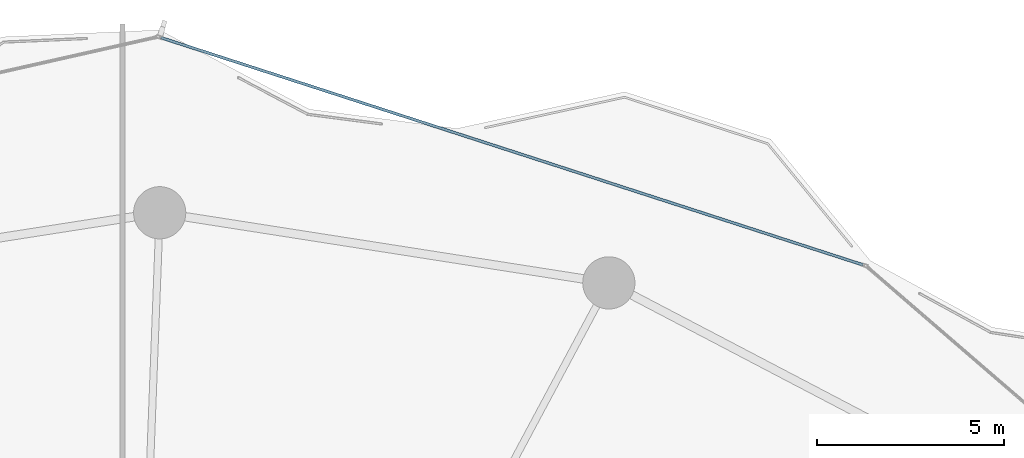
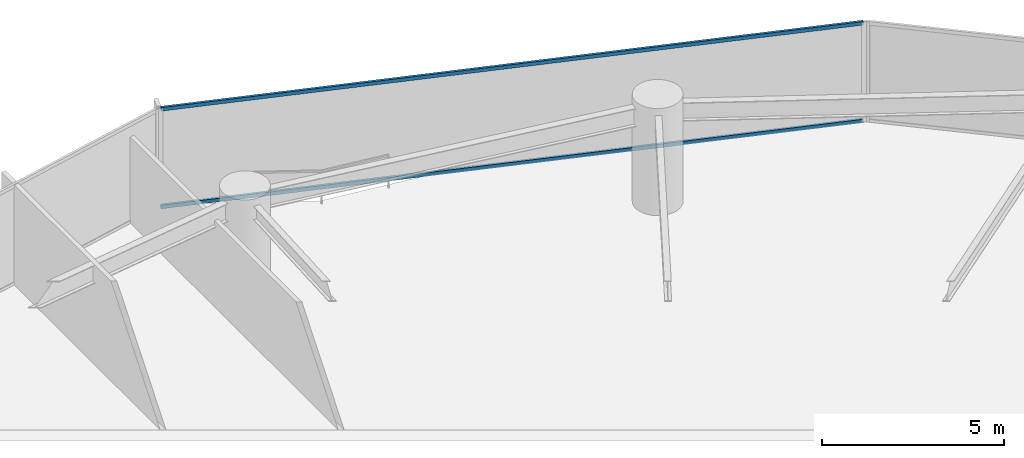
# One storey, part 22 of 33: 2 members, 1 element without a shape of its own.
"""IFC4 building model written with IfcOpenShell, lengths in metres."""

from ifc_helpers import new_model, si_unit, direction, frame, origin, origin_2d, place, context, subcontext, project, spatial, hollow_rectangle, extrude, material, layer, layer_set, material_profile, profile_set, type_object, element, aggregate, save


model = new_model("IFC4")

# Units and contexts
model_context = context("Model", 3, precision=1e-05, world=origin(), true_north=direction((0.0, 1.0)))
body_context = subcontext(model_context, "Body", "Model", "MODEL_VIEW")
ifc_project = project(units=[si_unit("LENGTHUNIT", "METRE"), si_unit("AREAUNIT", "SQUARE_METRE"), si_unit("VOLUMEUNIT", "CUBIC_METRE"), si_unit("PLANEANGLEUNIT", "RADIAN"), si_unit("MASSUNIT", "GRAM", prefix="KILO")], contexts=[model_context])

# Site, building, storey
site_placement = place(None, origin())
site = spatial("IfcSite", under=ifc_project, at=site_placement, CompositionType="ELEMENT")
building_placement = place(site_placement, origin())
building = spatial("IfcBuilding", under=site, at=building_placement, Name="Kazevale Care Tower and Concert Hall", CompositionType="ELEMENT")
storey_placement = place(building_placement, frame((0.0, 0.0, 31.199951171875)))
storey = spatial("IfcBuildingStorey", under=building, at=storey_placement, Name="L07", CompositionType="ELEMENT", Elevation=31.199951171875)

# Curtain wall, members
ifc_material_1 = material(Name="Aluminium 6063-T6 and Low-E Glass", Category="aluminium")
ifc_layer = layer(ifc_material_1, 0.179931640625)
ifc_layer_set = layer_set([ifc_layer], Name="Aluminium 6063-T6 and Low-E Glass")
curtain_wall_type = type_object("IfcCurtainWallType", Name="Convex Checkerboard Finned Curtain Wall CW-2", PredefinedType="NOTDEFINED", material=ifc_layer_set)
curtain_wall_placement = place(storey_placement, origin())
curtain_wall = element("IfcCurtainWall", 1, at=curtain_wall_placement, inside=storey, type_object=curtain_wall_type, Name="cw:L07:f16", PredefinedType="NOTDEFINED")
ifc_material_2 = material(Name="Aluminium 6063-T6", Category="aluminium")
ifc_material_profile = material_profile(ifc_material_2, hollow_rectangle(XDim=0.074951171875, YDim=0.1201171875, WallThickness=0.00390625, at=origin_2d()), Name="ALU75x120x4")
ifc_profile_set = profile_set([ifc_material_profile], Name="Aluminium 6063-T6")
member_type = type_object("IfcMemberType", Name="CW-2 Transom ALU75x120x4", PredefinedType="USERDEFINED", material=ifc_profile_set)
member_1_placement = place(storey_placement, frame((45.03515625, 67.34326171875, 0.03759765625), z_axis=(0.951413042648, -0.3079175576, 0.0), x_axis=(0.3079175576, 0.951413042648, 0.0)))
member_1 = element("IfcMember", 2, at=member_1_placement, type_object=member_type, Name="CW-2 transom 1.1", ObjectType="TRANSOM", PredefinedType="USERDEFINED", context=body_context, shape_type="SweptSolid", body=[
    extrude(hollow_rectangle(XDim=0.074951171875, YDim=0.1201171875, WallThickness=0.00390625, at=origin_2d()), origin(), (0.0, 0.0, 1.0), 19.77978515625),
])
member_2_placement = place(storey_placement, frame((45.03515625, 67.34326171875, 3.322509765625), z_axis=(0.951413042648, -0.3079175576, 0.0), x_axis=(0.3079175576, 0.951413042648, 0.0)))
member_2 = element("IfcMember", 3, at=member_2_placement, type_object=member_type, Name="CW-2 transom 1.2", ObjectType="TRANSOM", PredefinedType="USERDEFINED", context=body_context, shape_type="SweptSolid", body=[
    extrude(hollow_rectangle(XDim=0.074951171875, YDim=0.1201171875, WallThickness=0.00390625, at=origin_2d()), origin(), (0.0, 0.0, 1.0), 19.77978515625),
])
aggregate(curtain_wall, [member_1, member_2])

save(model, "model.ifc")
